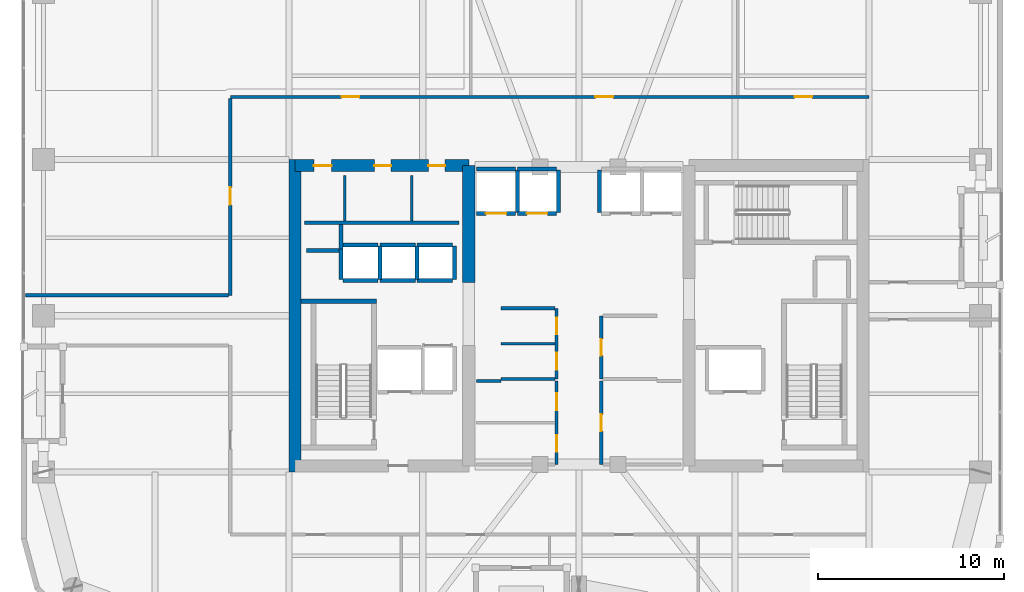
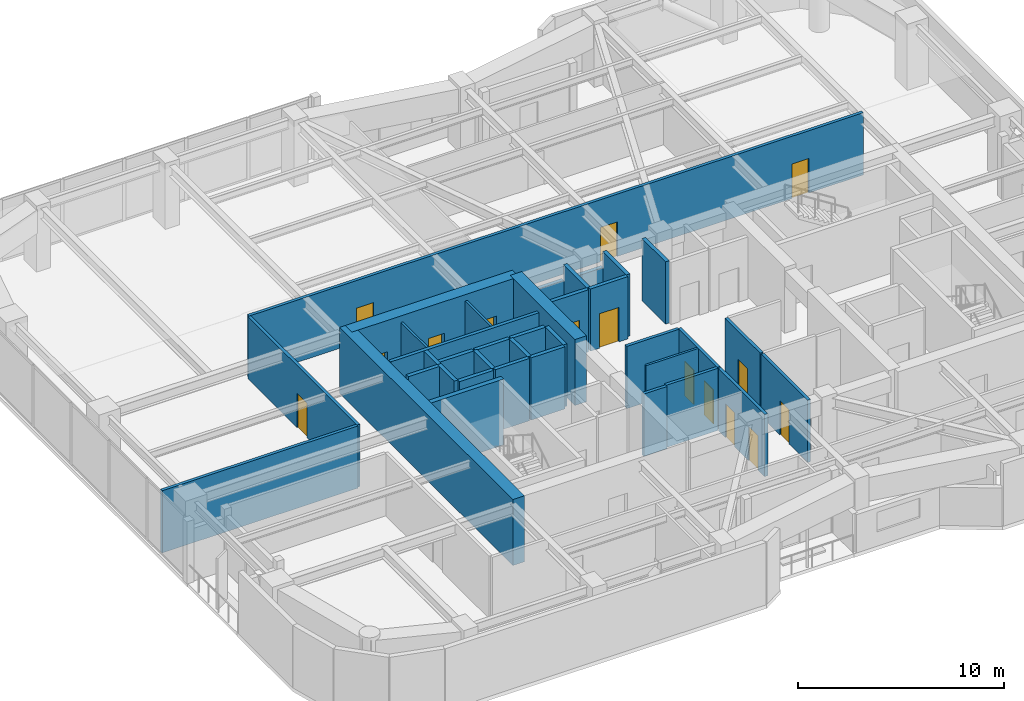
# One storey, part 25 of 30: 37 walls, 15 doors, 15 openings.
"""IFC4 building model written with IfcOpenShell, lengths in metres."""

import ifcopenshell
import ifcopenshell.guid

model = None  # the IFC model being written
_history = None  # IfcOwnerHistory: only IFC2X3 demands one
_inside = {}  # id of a spatial element -> (the spatial element, [elements in it])
_under = {}  # id of a project, library or spatial element -> (it, [spatial elements below it])
_declared = {}  # id of a project -> (the project, [libraries it declares])
_typed = {}  # id of a type object -> (the type object, [elements of that type])
_made_of = {}  # id of a material, layer set ... -> (it, [elements and type objects made of it])


def new_model(schema):
    """Start an empty IFC model of exactly this schema.

    Asked for "IFC4X3", IfcOpenShell would pick the latest addendum, in which some entities
    have other attributes; the version numbers below select the first issue.
    IFC2X3 requires an IfcOwnerHistory on every rooted entity: one is made here for all.
    """
    global model, _history
    if schema == "IFC4X3":
        model = ifcopenshell.file(schema_version=(4, 3, 0, 0))
    else:
        model = ifcopenshell.file(schema=schema)
    _inside.clear()
    _under.clear()
    _declared.clear()
    _typed.clear()
    _made_of.clear()
    _history = None
    if model.schema == "IFC2X3":
        org = make("IfcOrganization", Name="unknown")
        user = make(
            "IfcPersonAndOrganization",
            ThePerson=make("IfcPerson", FamilyName="unknown"),
            TheOrganization=org,
        )
        app = make(
            "IfcApplication",
            ApplicationDeveloper=org,
            Version="unknown",
            ApplicationFullName="unknown",
            ApplicationIdentifier="unknown",
        )
        _history = make(
            "IfcOwnerHistory",
            OwningUser=user,
            OwningApplication=app,
            ChangeAction="ADDED",
            CreationDate=0,
        )
    return model


def make(cls, **values):
    """One entity of the class cls with the attributes given. An attribute that is None is left unset."""
    return model.create_entity(
        cls, **{name: value for name, value in values.items() if value is not None}
    )


def rooted(cls, **values):
    """An entity with a GlobalId (a new one), such as an element, a storey or a relation."""
    return make(cls, GlobalId=ifcopenshell.guid.new(), OwnerHistory=_history, **values)


def si_unit(unit_type, name, prefix=None):
    """IfcSIUnit, for example si_unit("LENGTHUNIT", "METRE", prefix="MILLI")."""
    return make("IfcSIUnit", UnitType=unit_type, Prefix=prefix, Name=name)


def assignment(units):
    """IfcUnitAssignment: the units of a project."""
    return None if units is None else make("IfcUnitAssignment", Units=units)


def point(xyz):
    """IfcCartesianPoint."""
    return None if xyz is None else make("IfcCartesianPoint", Coordinates=xyz)


def direction(xyz):
    """IfcDirection."""
    return None if xyz is None else make("IfcDirection", DirectionRatios=xyz)


def frame(location, z_axis=None, x_axis=None):
    """IfcAxis2Placement3D, a coordinate frame: its origin and axes. An axis left out is left unset."""
    return make(
        "IfcAxis2Placement3D",
        Location=point(location),
        Axis=direction(z_axis),
        RefDirection=direction(x_axis),
    )


def frame_2d(location, x_axis=None):
    """IfcAxis2Placement2D, a coordinate frame in the plane: its origin and x axis."""
    return make(
        "IfcAxis2Placement2D", Location=point(location), RefDirection=direction(x_axis)
    )


def origin():
    """The frame at (0, 0, 0) with its axes left unset."""
    return frame((0.0, 0.0, 0.0))


def place(relative_to, where):
    """IfcLocalPlacement: puts the frame where relative to a parent placement (None: the world)."""
    return make(
        "IfcLocalPlacement", PlacementRelTo=relative_to, RelativePlacement=where
    )


def context(
    kind, dimensions, precision=None, world=None, true_north=None, identifier=None
):
    """IfcGeometricRepresentationContext, for example the 3D "Model" context."""
    return make(
        "IfcGeometricRepresentationContext",
        ContextIdentifier=identifier,
        ContextType=kind,
        CoordinateSpaceDimension=dimensions,
        Precision=precision,
        WorldCoordinateSystem=world,
        TrueNorth=true_north,
    )


def subcontext(parent, identifier, kind, view, scale=None):
    """IfcGeometricRepresentationSubContext, for example "Body" below "Model"."""
    return make(
        "IfcGeometricRepresentationSubContext",
        ContextIdentifier=identifier,
        ContextType=kind,
        ParentContext=parent,
        TargetScale=scale,
        TargetView=view,
    )


def project(units=None, contexts=None):
    """IfcProject with its units and contexts."""
    return rooted(
        "IfcProject",
        Name="project",
        RepresentationContexts=contexts,
        UnitsInContext=assignment(units),
    )


def spatial(cls, under=None, at=None, **own):
    """A site, building, storey or space (cls), placed at a placement, below another one or the project."""
    s = rooted(cls, ObjectPlacement=at, **own)
    if under is not None:
        _under.setdefault(under.id(), (under, []))[1].append(s)
    return s


def profile(cls, at=None, kind="AREA", **sizes):
    """A parametric profile (cls). Its sizes go by their IFC names, for example OverallWidth=200.0."""
    return make(cls, ProfileType=kind, Position=at, **sizes)


def rectangle(**sizes):
    """IfcRectangleProfileDef."""
    return profile("IfcRectangleProfileDef", **sizes)


def extrude(swept, where, along, depth):
    """IfcExtrudedAreaSolid: the profile swept, set in the frame where, extruded along a direction by depth."""
    return make(
        "IfcExtrudedAreaSolid",
        SweptArea=swept,
        Position=where,
        ExtrudedDirection=direction(along),
        Depth=depth,
    )


def shape(context_of_items, identifier, shape_type, items):
    """IfcShapeRepresentation: the items that make up one representation, for example the "Body"."""
    return make(
        "IfcShapeRepresentation",
        ContextOfItems=context_of_items,
        RepresentationIdentifier=identifier,
        RepresentationType=shape_type,
        Items=items,
    )


def material(Name=None, Category=None):
    """IfcMaterial."""
    return make("IfcMaterial", Name=Name, Category=Category)


def layer(
    of_material, thickness, ventilated=None, Name=None, Category=None, Priority=None
):
    """IfcMaterialLayer: one layer of a wall or slab, of a material (None: an air gap)."""
    return make(
        "IfcMaterialLayer",
        Material=of_material,
        LayerThickness=thickness,
        IsVentilated=ventilated,
        Name=Name,
        Category=Category,
        Priority=Priority,
    )


def layer_set(layers, Name=None):
    """IfcMaterialLayerSet."""
    return make("IfcMaterialLayerSet", MaterialLayers=layers, LayerSetName=Name)


def made_of(thing, what):
    """Note that an element or type object is made of a material, layer set ...; save() writes the relation."""
    if what is not None:
        _made_of.setdefault(what.id(), (what, []))[1].append(thing)
    return thing


def type_object(cls, material=None, **own):
    """A type object (cls), such as IfcWallType, which elements share."""
    return made_of(rooted(cls, **own), material)


def element(
    cls,
    number,
    at=None,
    inside=None,
    cuts=None,
    type_object=None,
    material=None,
    context=None,
    identifier="Body",
    shape_type=None,
    held_by="IfcProductDefinitionShape",
    body=None,
    shapes=None,
    **own,
):
    """One element of the class cls, such as IfcWall. Its Tag is "e" and its number.

    at: its placement. inside: the storey or other place that contains it. cuts: it is an
    opening in that element (IfcRelVoidsElement). A single representation is given by context,
    identifier, shape_type and body (its items); several are given by shapes. held_by: the class
    of the entity that holds the representations. save() writes the other relations.
    """
    e = rooted(cls, Tag="e%d" % number, ObjectPlacement=at, **own)
    if body is not None:
        shapes = [shape(context, identifier, shape_type, body)]
    if shapes is not None:
        e.Representation = make(held_by, Representations=shapes)
    if inside is not None:
        _inside.setdefault(inside.id(), (inside, []))[1].append(e)
    if cuts is not None:
        rooted(
            "IfcRelVoidsElement", RelatingBuildingElement=cuts, RelatedOpeningElement=e
        )
    if type_object is not None:
        _typed.setdefault(type_object.id(), (type_object, []))[1].append(e)
    return made_of(e, material)


def fill(opening, filler):
    """IfcRelFillsElement: the door or window that sits in an opening."""
    return rooted(
        "IfcRelFillsElement",
        RelatingOpeningElement=opening,
        RelatedBuildingElement=filler,
    )


def aggregate(whole, parts):
    """IfcRelAggregates: a whole, such as a stair, and the parts it consists of."""
    return rooted("IfcRelAggregates", RelatingObject=whole, RelatedObjects=parts)


def save(model, path):
    """Write the relations noted so far, then the file.

    IfcRelAggregates (storeys below a building ...), IfcRelContainedInSpatialStructure (elements
    in a storey), IfcRelDefinesByType, IfcRelAssociatesMaterial and IfcRelDeclares: one each for
    every whole, place, type object, material and project.
    """
    for whole, parts in _under.values():
        aggregate(whole, parts)
    for where, things in _inside.values():
        rooted(
            "IfcRelContainedInSpatialStructure",
            RelatedElements=things,
            RelatingStructure=where,
        )
    for kind, things in _typed.values():
        rooted("IfcRelDefinesByType", RelatedObjects=things, RelatingType=kind)
    for what, things in _made_of.values():
        rooted("IfcRelAssociatesMaterial", RelatedObjects=things, RelatingMaterial=what)
    for by, libraries in _declared.values():
        rooted("IfcRelDeclares", RelatingContext=by, RelatedDefinitions=libraries)
    model.write(path)


model = new_model("IFC4")

# Units and contexts
model_context = context("Model", 3, precision=1e-05, world=origin(), true_north=direction((0.0, 1.0)))
body_context = subcontext(model_context, "Body", "Model", "MODEL_VIEW")
ifc_project = project(units=[si_unit("LENGTHUNIT", "METRE"), si_unit("AREAUNIT", "SQUARE_METRE"), si_unit("VOLUMEUNIT", "CUBIC_METRE"), si_unit("PLANEANGLEUNIT", "RADIAN"), si_unit("MASSUNIT", "GRAM", prefix="KILO")], contexts=[model_context])

# Site, building, storey
site_placement = place(None, origin())
site = spatial("IfcSite", under=ifc_project, at=site_placement, CompositionType="ELEMENT")
building_placement = place(site_placement, origin())
building = spatial("IfcBuilding", under=site, at=building_placement, Name="Kiyonajd Concourse Tower", CompositionType="ELEMENT")
storey_placement = place(building_placement, frame((0.0, 0.0, 194.10009765625)))
storey = spatial("IfcBuildingStorey", under=building, at=storey_placement, Name="L49", CompositionType="ELEMENT", Elevation=194.10009765625)

# Walls
ifc_material_1 = material(Name="Concrete C60/75", Category="concrete")
ifc_layer_1 = layer(ifc_material_1, 0.64990234375)
ifc_layer_set_1 = layer_set([ifc_layer_1], Name="Concrete C60/75")
wall_type_1 = type_object("IfcWallType", Name="WL-CORE-650", PredefinedType="SHEAR", material=ifc_layer_set_1)
wall_1_placement = place(storey_placement, frame((32.72509765625, 27.60009765625, 0.0), z_axis=(0.0, 0.0, 1.0), x_axis=(0.0, 1.0, 0.0)))
element("IfcWall", 1, at=wall_1_placement, inside=storey, type_object=wall_type_1, Name="L49 West Core Outer Shear Wall", PredefinedType="SHEAR", context=body_context, shape_type="SweptSolid", body=[
    extrude(rectangle(XDim=16.7998046875, YDim=0.64990234375, at=frame_2d((8.39990234375, 0.0))), origin(), (0.0, 0.0, 1.0), 3.89990234375),
])
wall_2_placement = place(storey_placement, frame((42.074951171875, 37.800048828125, 0.0), z_axis=(0.0, 0.0, 1.0), x_axis=(0.0, 1.0, 0.0)))
element("IfcWall", 2, at=wall_2_placement, inside=storey, type_object=wall_type_1, Name="L49 West Core Inner North Shear Wall", PredefinedType="SHEAR", context=body_context, shape_type="SweptSolid", body=[
    extrude(rectangle(XDim=6.27490234375, YDim=0.64990234375, at=frame_2d((3.137451171875, 0.0))), origin(), (0.0, 0.0, 1.0), 3.89990234375),
])

# Wall, openings, doors
wall_3_placement = place(storey_placement, frame((32.72509765625, 44.074951171875, 0.0), z_axis=(0.0, 0.0, 1.0), x_axis=(1.0, 0.0, 0.0)))
wall_3 = element("IfcWall", 3, at=wall_3_placement, inside=storey, type_object=wall_type_1, Name="L49 West Core North Shear Wall", PredefinedType="SHEAR", context=body_context, shape_type="SweptSolid", body=[
    extrude(rectangle(XDim=9.349853515625, YDim=0.64990234375, at=frame_2d((4.6748046875, 0.0))), origin(), (0.0, 0.0, 1.0), 3.89990234375),
])
opening_1_placement = place(wall_3_placement, frame((1.02490234375, 0.0, 0.0)))
opening_1 = element("IfcOpeningElement", 4, at=opening_1_placement, cuts=wall_3, Name="Opening DI1", PredefinedType="OPENING", context=body_context, shape_type="SweptSolid", body=[
    extrude(rectangle(XDim=0.949951171875, YDim=2.0400390625, at=frame_2d((0.47509765625, 1.02001953125))), frame((0.0, 0.3349609375, 0.0), z_axis=(0.0, -1.0, 0.0), x_axis=(1.0, 0.0, 0.0)), (0.0, 0.0, 1.0), 0.669921875),
])
opening_2_placement = place(wall_3_placement, frame((4.27490234375, 0.0, 0.0)))
opening_2 = element("IfcOpeningElement", 5, at=opening_2_placement, cuts=wall_3, Name="Opening DI2", PredefinedType="OPENING", context=body_context, shape_type="SweptSolid", body=[
    extrude(rectangle(XDim=0.89990234375, YDim=2.02001953125, at=frame_2d((0.449951171875, 1.010009765625))), frame((0.0, 0.3349609375, 0.0), z_axis=(0.0, -1.0, 0.0), x_axis=(1.0, 0.0, 0.0)), (0.0, 0.0, 1.0), 0.669921875),
])
opening_3_placement = place(wall_3_placement, frame((7.175048828125, 0.0, 0.0)))
opening_3 = element("IfcOpeningElement", 6, at=opening_3_placement, cuts=wall_3, Name="Opening DI2", PredefinedType="OPENING", context=body_context, shape_type="SweptSolid", body=[
    extrude(rectangle(XDim=0.89990234375, YDim=2.02001953125, at=frame_2d((0.449951171875, 1.010009765625))), frame((0.0, 0.3349609375, 0.0), z_axis=(0.0, -1.0, 0.0), x_axis=(1.0, 0.0, 0.0)), (0.0, 0.0, 1.0), 0.669921875),
])
ifc_material_2 = material(Name="Natural Oak Acoustic Timber Veneer", Category="wood")
door_type_1 = type_object("IfcDoorType", Name="DR-INT-900", OperationType="NOTDEFINED", PredefinedType="DOOR", material=ifc_material_2)
door_1_placement = place(opening_2_placement, origin())
door_1 = element("IfcDoor", 7, at=door_1_placement, inside=storey, type_object=door_type_1, Name="L49 Male Restroom Door", OperationType="SINGLE_SWING_RIGHT", OverallHeight=2.02001953125, OverallWidth=0.89990234375, PredefinedType="DOOR", context=body_context, shape_type="SweptSolid", body=[
    extrude(rectangle(XDim=0.89990234375, YDim=2.02001953125, at=frame_2d((0.449951171875, 1.010009765625))), frame((0.0, 0.02490234375, 0.0), z_axis=(0.0, -1.0, 0.0), x_axis=(1.0, 0.0, 0.0)), (0.0, 0.0, 1.0), 0.050048828125),
])
fill(opening_2, door_1)
door_2_placement = place(opening_3_placement, origin())
door_2 = element("IfcDoor", 8, at=door_2_placement, inside=storey, type_object=door_type_1, Name="L49 Female Restroom Door", OperationType="SINGLE_SWING_LEFT", OverallHeight=2.02001953125, OverallWidth=0.89990234375, PredefinedType="DOOR", context=body_context, shape_type="SweptSolid", body=[
    extrude(rectangle(XDim=0.89990234375, YDim=2.02001953125, at=frame_2d((0.449951171875, 1.010009765625))), frame((0.0, 0.02490234375, 0.0), z_axis=(0.0, -1.0, 0.0), x_axis=(1.0, 0.0, 0.0)), (0.0, 0.0, 1.0), 0.050048828125),
])
fill(opening_3, door_2)
door_type_2 = type_object("IfcDoorType", Name="DR-INT-950", OperationType="NOTDEFINED", PredefinedType="DOOR", material=ifc_material_2)
door_3_placement = place(opening_1_placement, origin())
door_3 = element("IfcDoor", 9, at=door_3_placement, inside=storey, type_object=door_type_2, Name="L49 Single User Accessible WC Door", OperationType="SINGLE_SWING_LEFT", OverallHeight=2.0400390625, OverallWidth=0.949951171875, PredefinedType="DOOR", context=body_context, shape_type="SweptSolid", body=[
    extrude(rectangle(XDim=0.949951171875, YDim=2.0400390625, at=frame_2d((0.47509765625, 1.02001953125))), frame((0.0, 0.02490234375, 0.0), z_axis=(0.0, -1.0, 0.0), x_axis=(1.0, 0.0, 0.0)), (0.0, 0.0, 1.0), 0.050048828125),
])
fill(opening_1, door_3)

# Walls
ifc_material_3 = material(Name="Gypsum Board on Cold-Formed Steel Stud", Category="steel")
ifc_layer_2 = layer(ifc_material_3, 0.125)
ifc_layer_set_2 = layer_set([ifc_layer_2], Name="Gypsum Board on Cold-Formed Steel Stud")
wall_type_2 = type_object("IfcWallType", Name="WL-PART-125", PredefinedType="PARTITIONING", material=ifc_layer_set_2)
for number, where, z_axis, x_axis, name in (
    (10, (35.39990234375, 41.094970703125, 0.0), (0.0, 0.0, 1.0), (0.0, 1.0, 0.0), "L49 Interior Partition Wall"),
    (11, (39.0, 41.094970703125, 0.0), (0.0, 0.0, 1.0), (0.0, 1.0, 0.0), "L49 Interior Partition Wall"),
):
    element("IfcWall", number, at=place(storey_placement, frame(where, z_axis=z_axis, x_axis=x_axis)), inside=storey, type_object=wall_type_2, Name=name, PredefinedType="PARTITIONING", context=body_context, shape_type="SweptSolid", body=[
        extrude(rectangle(XDim=2.455078125, YDim=0.125, at=frame_2d((1.2275390625, 0.0))), origin(), (0.0, 0.0, 1.0), 3.679931640625),
    ])
wall_4_placement = place(storey_placement, frame((43.800048828125, 34.5, 0.0), z_axis=(0.0, 0.0, 1.0), x_axis=(1.0, 0.0, 0.0)))
element("IfcWall", 12, at=wall_4_placement, inside=storey, type_object=wall_type_2, Name="L49 Interior Partition Wall", PredefinedType="PARTITIONING", context=body_context, shape_type="SweptSolid", body=[
    extrude(rectangle(XDim=2.912841796875, YDim=0.125, at=frame_2d((1.45654296875, 0.0))), origin(), (0.0, 0.0, 1.0), 3.679931640625),
])
ifc_layer_3 = layer(ifc_material_3, 0.18994140625)
ifc_layer_set_3 = layer_set([ifc_layer_3], Name="Gypsum Board on Cold-Formed Steel Stud")
wall_type_3 = type_object("IfcWallType", Name="WL-PLMB-190", PredefinedType="PLUMBINGWALL", material=ifc_layer_set_3)
wall_5_placement = place(storey_placement, frame((33.25, 41.0, 0.0), z_axis=(0.0, 0.0, 1.0), x_axis=(1.0, 0.0, 0.0)))
element("IfcWall", 13, at=wall_5_placement, inside=storey, type_object=wall_type_3, Name="L49 Interior Partition Wall", PredefinedType="PLUMBINGWALL", context=body_context, shape_type="SweptSolid", body=[
    extrude(rectangle(XDim=8.300048828125, YDim=0.18994140625, at=frame_2d((4.14990234375, 0.0))), origin(), (0.0, 0.0, 1.0), 3.679931640625),
])
ifc_layer_4 = layer(ifc_material_3, 0.2099609375)
ifc_layer_set_4 = layer_set([ifc_layer_4], Name="Gypsum Board on Cold-Formed Steel Stud")
wall_type_4 = type_object("IfcWallType", Name="WL-SHAFT-210", PredefinedType="PARTITIONING", material=ifc_layer_set_4)
wall_6_placement = place(storey_placement, frame((33.360107421875, 39.5, 0.0), z_axis=(0.0, 0.0, 1.0), x_axis=(1.0, 0.0, 0.0)))
element("IfcWall", 14, at=wall_6_placement, inside=storey, type_object=wall_type_4, Name="L49 Shaft Enclosure Wall", PredefinedType="PARTITIONING", context=body_context, shape_type="SweptSolid", body=[
    extrude(rectangle(XDim=1.85986328125, YDim=0.2099609375, at=frame_2d((0.929931640625, 0.0))), origin(), (0.0, 0.0, 1.0), 3.679931640625),
])
wall_7_placement = place(storey_placement, frame((35.199951171875, 39.580078125, 0.0), z_axis=(0.0, 0.0, 1.0), x_axis=(0.0, 1.0, 0.0)))
element("IfcWall", 15, at=wall_7_placement, inside=storey, type_object=wall_type_4, Name="L49 Shaft Enclosure Wall", PredefinedType="PARTITIONING", context=body_context, shape_type="SweptSolid", body=[
    extrude(rectangle(XDim=1.31982421875, YDim=0.2099609375, at=frame_2d((0.659912109375, 0.0))), origin(), (0.0, 0.0, 1.0), 3.679931640625),
])

# Wall, opening, door
wall_8_placement = place(storey_placement, frame((42.5, 41.5, 0.0), z_axis=(0.0, 0.0, 1.0), x_axis=(1.0, 0.0, 0.0)))
wall_8 = element("IfcWall", 16, at=wall_8_placement, inside=storey, type_object=wall_type_4, Name="L49 Shaft Enclosure Wall", PredefinedType="PARTITIONING", context=body_context, shape_type="SweptSolid", body=[
    extrude(rectangle(XDim=2.10009765625, YDim=0.2099609375, at=frame_2d((1.050048828125, 0.0))), origin(), (0.0, 0.0, 1.0), 3.679931640625),
])
opening_4_placement = place(wall_8_placement, frame((0.5, 0.0, 0.0)))
opening_4 = element("IfcOpeningElement", 17, at=opening_4_placement, cuts=wall_8, Name="Opening LD1", PredefinedType="OPENING", context=body_context, shape_type="SweptSolid", body=[
    extrude(rectangle(XDim=1.10009765625, YDim=2.0400390625, at=frame_2d((0.550048828125, 1.02001953125))), frame((0.0, 0.114990234375, 0.0), z_axis=(0.0, -1.0, 0.0), x_axis=(1.0, 0.0, 0.0)), (0.0, 0.0, 1.0), 0.22998046875),
])
ifc_material_4 = material(Name="Brushed Stainless Steel Cab Assembly", Category="steel")
door_type_3 = type_object("IfcDoorType", Name="DR-LD-1100", OperationType="DOUBLE_DOOR_SLIDING", PredefinedType="DOOR", material=ifc_material_4)
door_4_placement = place(opening_4_placement, origin())
door_4 = element("IfcDoor", 18, at=door_4_placement, inside=storey, type_object=door_type_3, Name="L49 Lift PL-M1 Sliding Landing Door", OperationType="DOUBLE_DOOR_SLIDING", OverallHeight=2.0400390625, OverallWidth=1.10009765625, PredefinedType="DOOR", context=body_context, shape_type="SweptSolid", body=[
    extrude(rectangle(XDim=1.10009765625, YDim=2.0400390625, at=frame_2d((0.550048828125, 1.02001953125))), frame((0.0, 0.02490234375, 0.0), z_axis=(0.0, -1.0, 0.0), x_axis=(1.0, 0.0, 0.0)), (0.0, 0.0, 1.0), 0.050048828125),
])
fill(opening_4, door_4)

# Walls
wall_9_placement = place(storey_placement, frame((42.5, 43.89990234375, 0.0), z_axis=(0.0, 0.0, 1.0), x_axis=(1.0, 0.0, 0.0)))
element("IfcWall", 19, at=wall_9_placement, inside=storey, type_object=wall_type_4, Name="L49 Shaft Enclosure Wall", PredefinedType="PARTITIONING", context=body_context, shape_type="SweptSolid", body=[
    extrude(rectangle(XDim=2.10009765625, YDim=0.2099609375, at=frame_2d((1.050048828125, 0.0))), origin(), (0.0, 0.0, 1.0), 2.764892578125),
])
wall_10_placement = place(storey_placement, frame((44.699951171875, 41.56005859375, 0.0), z_axis=(0.0, 0.0, 1.0), x_axis=(0.0, 1.0, 0.0)))
element("IfcWall", 20, at=wall_10_placement, inside=storey, type_object=wall_type_4, Name="L49 Shaft Enclosure Wall", PredefinedType="PARTITIONING", context=body_context, shape_type="SweptSolid", body=[
    extrude(rectangle(XDim=2.280029296875, YDim=0.2099609375, at=frame_2d((1.14013671875, 0.0))), origin(), (0.0, 0.0, 1.0), 3.679931640625),
])

# Wall, opening, door
wall_11_placement = place(storey_placement, frame((44.699951171875, 41.5, 0.0), z_axis=(0.0, 0.0, 1.0), x_axis=(1.0, 0.0, 0.0)))
wall_11 = element("IfcWall", 21, at=wall_11_placement, inside=storey, type_object=wall_type_4, Name="L49 Shaft Enclosure Wall", PredefinedType="PARTITIONING", context=body_context, shape_type="SweptSolid", body=[
    extrude(rectangle(XDim=2.10009765625, YDim=0.2099609375, at=frame_2d((1.050048828125, 0.0))), origin(), (0.0, 0.0, 1.0), 3.679931640625),
])
opening_5_placement = place(wall_11_placement, frame((0.5, 0.0, 0.0)))
opening_5 = element("IfcOpeningElement", 22, at=opening_5_placement, cuts=wall_11, Name="Opening LD1", PredefinedType="OPENING", context=body_context, shape_type="SweptSolid", body=[
    extrude(rectangle(XDim=1.10009765625, YDim=2.0400390625, at=frame_2d((0.550048828125, 1.02001953125))), frame((0.0, 0.114990234375, 0.0), z_axis=(0.0, -1.0, 0.0), x_axis=(1.0, 0.0, 0.0)), (0.0, 0.0, 1.0), 0.22998046875),
])
door_5_placement = place(opening_5_placement, origin())
door_5 = element("IfcDoor", 23, at=door_5_placement, inside=storey, type_object=door_type_3, Name="L49 Lift PL-M2 Sliding Landing Door", OperationType="DOUBLE_DOOR_SLIDING", OverallHeight=2.0400390625, OverallWidth=1.10009765625, PredefinedType="DOOR", context=body_context, shape_type="SweptSolid", body=[
    extrude(rectangle(XDim=1.10009765625, YDim=2.0400390625, at=frame_2d((0.550048828125, 1.02001953125))), frame((0.0, 0.02490234375, 0.0), z_axis=(0.0, -1.0, 0.0), x_axis=(1.0, 0.0, 0.0)), (0.0, 0.0, 1.0), 0.050048828125),
])
fill(opening_5, door_5)

# Walls
wall_12_placement = place(storey_placement, frame((44.699951171875, 43.89990234375, 0.0), z_axis=(0.0, 0.0, 1.0), x_axis=(1.0, 0.0, 0.0)))
element("IfcWall", 24, at=wall_12_placement, inside=storey, type_object=wall_type_4, Name="L49 Shaft Enclosure Wall", PredefinedType="PARTITIONING", context=body_context, shape_type="SweptSolid", body=[
    extrude(rectangle(XDim=2.10009765625, YDim=0.2099609375, at=frame_2d((1.050048828125, 0.0))), origin(), (0.0, 0.0, 1.0), 2.764892578125),
])
for number, where, z_axis, x_axis, name in (
    (25, (46.89990234375, 41.56005859375, 0.0), (0.0, 0.0, 1.0), (0.0, 1.0, 0.0), "L49 Shaft Enclosure Wall"),
    (26, (49.10009765625, 41.56005859375, 0.0), (0.0, 0.0, 1.0), (0.0, 1.0, 0.0), "L49 Shaft Enclosure Wall"),
):
    element("IfcWall", number, at=place(storey_placement, frame(where, z_axis=z_axis, x_axis=x_axis)), inside=storey, type_object=wall_type_4, Name=name, PredefinedType="PARTITIONING", context=body_context, shape_type="SweptSolid", body=[
        extrude(rectangle(XDim=2.280029296875, YDim=0.2099609375, at=frame_2d((1.14013671875, 0.0))), origin(), (0.0, 0.0, 1.0), 3.679931640625),
    ])
for number, where, z_axis, x_axis, name in (
    (27, (35.300048828125, 37.89990234375, 0.0), (0.0, 0.0, 1.0), (1.0, 0.0, 0.0), "L49 Shaft Enclosure Wall"),
    (28, (35.300048828125, 39.800048828125, 0.0), (0.0, 0.0, 1.0), (1.0, 0.0, 0.0), "L49 Shaft Enclosure Wall"),
):
    element("IfcWall", number, at=place(storey_placement, frame(where, z_axis=z_axis, x_axis=x_axis)), inside=storey, type_object=wall_type_4, Name=name, PredefinedType="PARTITIONING", context=body_context, shape_type="SweptSolid", body=[
        extrude(rectangle(XDim=1.89990234375, YDim=0.2099609375, at=frame_2d((0.949951171875, 0.0))), origin(), (0.0, 0.0, 1.0), 3.679931640625),
    ])
wall_13_placement = place(storey_placement, frame((35.199951171875, 37.9599609375, 0.0), z_axis=(0.0, 0.0, 1.0), x_axis=(0.0, 1.0, 0.0)))
element("IfcWall", 29, at=wall_13_placement, inside=storey, type_object=wall_type_4, Name="L49 Shaft Enclosure Wall", PredefinedType="PARTITIONING", context=body_context, shape_type="SweptSolid", body=[
    extrude(rectangle(XDim=1.6201171875, YDim=0.2099609375, at=frame_2d((0.81005859375, 0.0))), origin(), (0.0, 0.0, 1.0), 3.679931640625),
])
wall_14_placement = place(storey_placement, frame((37.300048828125, 37.9599609375, 0.0), z_axis=(0.0, 0.0, 1.0), x_axis=(0.0, 1.0, 0.0)))
element("IfcWall", 30, at=wall_14_placement, inside=storey, type_object=wall_type_4, Name="L49 Shaft Enclosure Wall", PredefinedType="PARTITIONING", context=body_context, shape_type="SweptSolid", body=[
    extrude(rectangle(XDim=1.780029296875, YDim=0.2099609375, at=frame_2d((0.89013671875, 0.0))), origin(), (0.0, 0.0, 1.0), 3.679931640625),
])
for number, where, z_axis, x_axis, name in (
    (31, (37.300048828125, 37.89990234375, 0.0), (0.0, 0.0, 1.0), (1.0, 0.0, 0.0), "L49 Shaft Enclosure Wall"),
    (32, (37.300048828125, 39.800048828125, 0.0), (0.0, 0.0, 1.0), (1.0, 0.0, 0.0), "L49 Shaft Enclosure Wall"),
):
    element("IfcWall", number, at=place(storey_placement, frame(where, z_axis=z_axis, x_axis=x_axis)), inside=storey, type_object=wall_type_4, Name=name, PredefinedType="PARTITIONING", context=body_context, shape_type="SweptSolid", body=[
        extrude(rectangle(XDim=1.89990234375, YDim=0.2099609375, at=frame_2d((0.949951171875, 0.0))), origin(), (0.0, 0.0, 1.0), 3.679931640625),
    ])
wall_15_placement = place(storey_placement, frame((39.300048828125, 37.9599609375, 0.0), z_axis=(0.0, 0.0, 1.0), x_axis=(0.0, 1.0, 0.0)))
element("IfcWall", 33, at=wall_15_placement, inside=storey, type_object=wall_type_4, Name="L49 Shaft Enclosure Wall", PredefinedType="PARTITIONING", context=body_context, shape_type="SweptSolid", body=[
    extrude(rectangle(XDim=1.780029296875, YDim=0.2099609375, at=frame_2d((0.89013671875, 0.0))), origin(), (0.0, 0.0, 1.0), 3.679931640625),
])
for number, where, z_axis, x_axis, name in (
    (34, (39.300048828125, 37.89990234375, 0.0), (0.0, 0.0, 1.0), (1.0, 0.0, 0.0), "L49 Shaft Enclosure Wall"),
    (35, (39.300048828125, 39.800048828125, 0.0), (0.0, 0.0, 1.0), (1.0, 0.0, 0.0), "L49 Shaft Enclosure Wall"),
):
    element("IfcWall", number, at=place(storey_placement, frame(where, z_axis=z_axis, x_axis=x_axis)), inside=storey, type_object=wall_type_4, Name=name, PredefinedType="PARTITIONING", context=body_context, shape_type="SweptSolid", body=[
        extrude(rectangle(XDim=1.89990234375, YDim=0.2099609375, at=frame_2d((0.949951171875, 0.0))), origin(), (0.0, 0.0, 1.0), 3.679931640625),
    ])
wall_16_placement = place(storey_placement, frame((41.300048828125, 37.9599609375, 0.0), z_axis=(0.0, 0.0, 1.0), x_axis=(0.0, 1.0, 0.0)))
element("IfcWall", 36, at=wall_16_placement, inside=storey, type_object=wall_type_4, Name="L49 Shaft Enclosure Wall", PredefinedType="PARTITIONING", context=body_context, shape_type="SweptSolid", body=[
    extrude(rectangle(XDim=1.780029296875, YDim=0.2099609375, at=frame_2d((0.89013671875, 0.0))), origin(), (0.0, 0.0, 1.0), 3.679931640625),
])

# Wall, openings, doors
ifc_layer_5 = layer(ifc_material_3, 0.169921875)
ifc_layer_set_5 = layer_set([ifc_layer_5], Name="Gypsum Board on Cold-Formed Steel Stud")
wall_type_5 = type_object("IfcWallType", Name="WL-SMK-170", PredefinedType="PARTITIONING", material=ifc_layer_set_5)
wall_17_placement = place(storey_placement, frame((46.800048828125, 32.60009765625, 0.0), z_axis=(0.0, 0.0, 1.0), x_axis=(0.0, 1.0, 0.0)))
wall_17 = element("IfcWall", 37, at=wall_17_placement, inside=storey, type_object=wall_type_5, Name="L49 Interior Partition Wall", PredefinedType="PARTITIONING", context=body_context, shape_type="SweptSolid", body=[
    extrude(rectangle(XDim=3.7998046875, YDim=0.169921875, at=frame_2d((1.89990234375, 0.0))), origin(), (0.0, 0.0, 1.0), 3.679931640625),
])
opening_6_placement = place(wall_17_placement, frame((0.5, 0.0, 0.0)))
opening_6 = element("IfcOpeningElement", 38, at=opening_6_placement, cuts=wall_17, Name="Opening DI2", PredefinedType="OPENING", context=body_context, shape_type="SweptSolid", body=[
    extrude(rectangle(XDim=0.89990234375, YDim=2.02001953125, at=frame_2d((0.449951171875, 1.010009765625))), frame((0.0, 0.094970703125, 0.0), z_axis=(0.0, -1.0, 0.0), x_axis=(1.0, 0.0, 0.0)), (0.0, 0.0, 1.0), 0.18994140625),
])
opening_7_placement = place(wall_17_placement, frame((2.39990234375, 0.0, 0.0)))
opening_7 = element("IfcOpeningElement", 39, at=opening_7_placement, cuts=wall_17, Name="Opening DI2", PredefinedType="OPENING", context=body_context, shape_type="SweptSolid", body=[
    extrude(rectangle(XDim=0.89990234375, YDim=2.02001953125, at=frame_2d((0.449951171875, 1.010009765625))), frame((0.0, 0.094970703125, 0.0), z_axis=(0.0, -1.0, 0.0), x_axis=(1.0, 0.0, 0.0)), (0.0, 0.0, 1.0), 0.18994140625),
])
door_6_placement = place(opening_6_placement, origin())
door_6 = element("IfcDoor", 40, at=door_6_placement, inside=storey, type_object=door_type_1, Name="L49 Interior Door", OperationType="SINGLE_SWING_RIGHT", OverallHeight=2.02001953125, OverallWidth=0.89990234375, PredefinedType="DOOR", context=body_context, shape_type="SweptSolid", body=[
    extrude(rectangle(XDim=0.89990234375, YDim=2.02001953125, at=frame_2d((0.449951171875, 1.010009765625))), frame((0.0, 0.02490234375, 0.0), z_axis=(0.0, -1.0, 0.0), x_axis=(1.0, 0.0, 0.0)), (0.0, 0.0, 1.0), 0.050048828125),
])
fill(opening_6, door_6)
door_7_placement = place(opening_7_placement, origin())
door_7 = element("IfcDoor", 41, at=door_7_placement, inside=storey, type_object=door_type_1, Name="L49 Interior Door", OperationType="SINGLE_SWING_LEFT", OverallHeight=2.02001953125, OverallWidth=0.89990234375, PredefinedType="DOOR", context=body_context, shape_type="SweptSolid", body=[
    extrude(rectangle(XDim=0.89990234375, YDim=2.02001953125, at=frame_2d((0.449951171875, 1.010009765625))), frame((0.0, 0.02490234375, 0.0), z_axis=(0.0, -1.0, 0.0), x_axis=(1.0, 0.0, 0.0)), (0.0, 0.0, 1.0), 0.050048828125),
])
fill(opening_7, door_7)

# Walls
for number, where, z_axis, x_axis, name in (
    (42, (43.800048828125, 32.60009765625, 0.0), (0.0, 0.0, 1.0), (1.0, 0.0, 0.0), "L49 Interior Partition Wall"),
    (43, (43.800048828125, 36.39990234375, 0.0), (0.0, 0.0, 1.0), (1.0, 0.0, 0.0), "L49 Interior Partition Wall"),
):
    element("IfcWall", number, at=place(storey_placement, frame(where, z_axis=z_axis, x_axis=x_axis)), inside=storey, type_object=wall_type_5, Name=name, PredefinedType="PARTITIONING", context=body_context, shape_type="SweptSolid", body=[
        extrude(rectangle(XDim=2.912841796875, YDim=0.169921875, at=frame_2d((1.45654296875, 0.0))), origin(), (0.0, 0.0, 1.0), 3.679931640625),
    ])

# Wall, opening, door
wall_18_placement = place(storey_placement, frame((49.199951171875, 32.60009765625, 0.0), z_axis=(0.0, 0.0, 1.0), x_axis=(0.0, 1.0, 0.0)))
wall_18 = element("IfcWall", 44, at=wall_18_placement, inside=storey, type_object=wall_type_5, Name="L49 Interior Partition Wall", PredefinedType="PARTITIONING", context=body_context, shape_type="SweptSolid", body=[
    extrude(rectangle(XDim=3.39990234375, YDim=0.169921875, at=frame_2d((1.699951171875, 0.0))), origin(), (0.0, 0.0, 1.0), 3.679931640625),
])
opening_8_placement = place(wall_18_placement, frame((1.25, 0.0, 0.0)))
opening_8 = element("IfcOpeningElement", 45, at=opening_8_placement, cuts=wall_18, Name="Opening DI2", PredefinedType="OPENING", context=body_context, shape_type="SweptSolid", body=[
    extrude(rectangle(XDim=0.89990234375, YDim=2.02001953125, at=frame_2d((0.449951171875, 1.010009765625))), frame((0.0, 0.094970703125, 0.0), z_axis=(0.0, -1.0, 0.0), x_axis=(1.0, 0.0, 0.0)), (0.0, 0.0, 1.0), 0.18994140625),
])
door_8_placement = place(opening_8_placement, origin())
door_8 = element("IfcDoor", 46, at=door_8_placement, inside=storey, type_object=door_type_1, Name="L49 Interior Door", OperationType="SINGLE_SWING_RIGHT", OverallHeight=2.02001953125, OverallWidth=0.89990234375, PredefinedType="DOOR", context=body_context, shape_type="SweptSolid", body=[
    extrude(rectangle(XDim=0.89990234375, YDim=2.02001953125, at=frame_2d((0.449951171875, 1.010009765625))), frame((0.0, 0.02490234375, 0.0), z_axis=(0.0, -1.0, 0.0), x_axis=(1.0, 0.0, 0.0)), (0.0, 0.0, 1.0), 0.050048828125),
])
fill(opening_8, door_8)

# Wall, openings, doors
wall_19_placement = place(storey_placement, frame((46.800048828125, 28.0, 0.0), z_axis=(0.0, 0.0, 1.0), x_axis=(0.0, 1.0, 0.0)))
wall_19 = element("IfcWall", 47, at=wall_19_placement, inside=storey, type_object=wall_type_5, Name="L49 Interior Partition Wall", PredefinedType="PARTITIONING", context=body_context, shape_type="SweptSolid", body=[
    extrude(rectangle(XDim=4.5, YDim=0.169921875, at=frame_2d((2.25, 0.0))), origin(), (0.0, 0.0, 1.0), 3.679931640625),
])
opening_9_placement = place(wall_19_placement, frame((0.675048828125, 0.0, 0.0)))
opening_9 = element("IfcOpeningElement", 48, at=opening_9_placement, cuts=wall_19, Name="Opening DI2", PredefinedType="OPENING", context=body_context, shape_type="SweptSolid", body=[
    extrude(rectangle(XDim=0.89990234375, YDim=2.02001953125, at=frame_2d((0.449951171875, 1.010009765625))), frame((0.0, 0.094970703125, 0.0), z_axis=(0.0, -1.0, 0.0), x_axis=(1.0, 0.0, 0.0)), (0.0, 0.0, 1.0), 0.18994140625),
])
opening_10_placement = place(wall_19_placement, frame((2.925048828125, 0.0, 0.0)))
opening_10 = element("IfcOpeningElement", 49, at=opening_10_placement, cuts=wall_19, Name="Opening DI2", PredefinedType="OPENING", context=body_context, shape_type="SweptSolid", body=[
    extrude(rectangle(XDim=0.89990234375, YDim=2.02001953125, at=frame_2d((0.449951171875, 1.010009765625))), frame((0.0, 0.094970703125, 0.0), z_axis=(0.0, -1.0, 0.0), x_axis=(1.0, 0.0, 0.0)), (0.0, 0.0, 1.0), 0.18994140625),
])
door_9_placement = place(opening_9_placement, origin())
door_9 = element("IfcDoor", 50, at=door_9_placement, inside=storey, type_object=door_type_1, Name="L49 Interior Door", OperationType="SINGLE_SWING_LEFT", OverallHeight=2.02001953125, OverallWidth=0.89990234375, PredefinedType="DOOR", context=body_context, shape_type="SweptSolid", body=[
    extrude(rectangle(XDim=0.89990234375, YDim=2.02001953125, at=frame_2d((0.449951171875, 1.010009765625))), frame((0.0, 0.02490234375, 0.0), z_axis=(0.0, -1.0, 0.0), x_axis=(1.0, 0.0, 0.0)), (0.0, 0.0, 1.0), 0.050048828125),
])
fill(opening_9, door_9)
door_10_placement = place(opening_10_placement, origin())
door_10 = element("IfcDoor", 51, at=door_10_placement, inside=storey, type_object=door_type_1, Name="L49 Interior Door", OperationType="SINGLE_SWING_RIGHT", OverallHeight=2.02001953125, OverallWidth=0.89990234375, PredefinedType="DOOR", context=body_context, shape_type="SweptSolid", body=[
    extrude(rectangle(XDim=0.89990234375, YDim=2.02001953125, at=frame_2d((0.449951171875, 1.010009765625))), frame((0.0, 0.02490234375, 0.0), z_axis=(0.0, -1.0, 0.0), x_axis=(1.0, 0.0, 0.0)), (0.0, 0.0, 1.0), 0.050048828125),
])
fill(opening_10, door_10)

# Wall
wall_20_placement = place(storey_placement, frame((42.5, 32.5, 0.0), z_axis=(0.0, 0.0, 1.0), x_axis=(1.0, 0.0, 0.0)))
element("IfcWall", 52, at=wall_20_placement, inside=storey, type_object=wall_type_5, Name="L49 Interior Partition Wall", PredefinedType="PARTITIONING", context=body_context, shape_type="SweptSolid", body=[
    extrude(rectangle(XDim=1.300048828125, YDim=0.169921875, at=frame_2d((0.64990234375, 0.0))), origin(), (0.0, 0.0, 1.0), 3.679931640625),
])

# Wall, opening, door
wall_21_placement = place(storey_placement, frame((49.199951171875, 28.0, 0.0), z_axis=(0.0, 0.0, 1.0), x_axis=(0.0, 1.0, 0.0)))
wall_21 = element("IfcWall", 53, at=wall_21_placement, inside=storey, type_object=wall_type_5, Name="L49 Interior Partition Wall", PredefinedType="PARTITIONING", context=body_context, shape_type="SweptSolid", body=[
    extrude(rectangle(XDim=4.5, YDim=0.169921875, at=frame_2d((2.25, 0.0))), origin(), (0.0, 0.0, 1.0), 3.679931640625),
])
opening_11_placement = place(wall_21_placement, frame((1.800048828125, 0.0, 0.0)))
opening_11 = element("IfcOpeningElement", 54, at=opening_11_placement, cuts=wall_21, Name="Opening DI2", PredefinedType="OPENING", context=body_context, shape_type="SweptSolid", body=[
    extrude(rectangle(XDim=0.89990234375, YDim=2.02001953125, at=frame_2d((0.449951171875, 1.010009765625))), frame((0.0, 0.094970703125, 0.0), z_axis=(0.0, -1.0, 0.0), x_axis=(1.0, 0.0, 0.0)), (0.0, 0.0, 1.0), 0.18994140625),
])
door_11_placement = place(opening_11_placement, origin())
door_11 = element("IfcDoor", 55, at=door_11_placement, inside=storey, type_object=door_type_1, Name="L49 Interior Door", OperationType="SINGLE_SWING_LEFT", OverallHeight=2.02001953125, OverallWidth=0.89990234375, PredefinedType="DOOR", context=body_context, shape_type="SweptSolid", body=[
    extrude(rectangle(XDim=0.89990234375, YDim=2.02001953125, at=frame_2d((0.449951171875, 1.010009765625))), frame((0.0, 0.02490234375, 0.0), z_axis=(0.0, -1.0, 0.0), x_axis=(1.0, 0.0, 0.0)), (0.0, 0.0, 1.0), 0.050048828125),
])
fill(opening_11, door_11)

# Wall, openings, doors
wall_22_placement = place(storey_placement, frame((29.25, 47.77001953125, 0.0), z_axis=(0.0, 0.0, 1.0), x_axis=(1.0, 0.0, 0.0)))
wall_22 = element("IfcWall", 56, at=wall_22_placement, inside=storey, type_object=wall_type_5, Name="L49 Interior Partition Wall", PredefinedType="PARTITIONING", context=body_context, shape_type="SweptSolid", body=[
    extrude(rectangle(XDim=34.35009765625, YDim=0.169921875, at=frame_2d((17.175048828125, 0.0))), origin(), (0.0, 0.0, 1.0), 3.679931640625),
])
opening_12_placement = place(wall_22_placement, frame((5.989990234375, 0.0, 0.0)))
opening_12 = element("IfcOpeningElement", 57, at=opening_12_placement, cuts=wall_22, Name="Opening DI1", PredefinedType="OPENING", context=body_context, shape_type="SweptSolid", body=[
    extrude(rectangle(XDim=0.949951171875, YDim=2.0400390625, at=frame_2d((0.47509765625, 1.02001953125))), frame((0.0, 0.094970703125, 0.0), z_axis=(0.0, -1.0, 0.0), x_axis=(1.0, 0.0, 0.0)), (0.0, 0.0, 1.0), 0.18994140625),
])
opening_13_placement = place(wall_22_placement, frame((19.635009765625, 0.0, 0.0)))
opening_13 = element("IfcOpeningElement", 58, at=opening_13_placement, cuts=wall_22, Name="Opening DI1", PredefinedType="OPENING", context=body_context, shape_type="SweptSolid", body=[
    extrude(rectangle(XDim=0.949951171875, YDim=2.0400390625, at=frame_2d((0.47509765625, 1.02001953125))), frame((0.0, 0.094970703125, 0.0), z_axis=(0.0, -1.0, 0.0), x_axis=(1.0, 0.0, 0.0)), (0.0, 0.0, 1.0), 0.18994140625),
])
opening_14_placement = place(wall_22_placement, frame((30.344970703125, 0.0, 0.0)))
opening_14 = element("IfcOpeningElement", 59, at=opening_14_placement, cuts=wall_22, Name="Opening DI1", PredefinedType="OPENING", context=body_context, shape_type="SweptSolid", body=[
    extrude(rectangle(XDim=0.949951171875, YDim=2.0400390625, at=frame_2d((0.47509765625, 1.02001953125))), frame((0.0, 0.094970703125, 0.0), z_axis=(0.0, -1.0, 0.0), x_axis=(1.0, 0.0, 0.0)), (0.0, 0.0, 1.0), 0.18994140625),
])
door_12_placement = place(opening_12_placement, origin())
door_12 = element("IfcDoor", 60, at=door_12_placement, inside=storey, type_object=door_type_2, Name="L49 Interior Door", OperationType="SINGLE_SWING_RIGHT", OverallHeight=2.0400390625, OverallWidth=0.949951171875, PredefinedType="DOOR", context=body_context, shape_type="SweptSolid", body=[
    extrude(rectangle(XDim=0.949951171875, YDim=2.0400390625, at=frame_2d((0.47509765625, 1.02001953125))), frame((0.0, 0.02490234375, 0.0), z_axis=(0.0, -1.0, 0.0), x_axis=(1.0, 0.0, 0.0)), (0.0, 0.0, 1.0), 0.050048828125),
])
fill(opening_12, door_12)
door_13_placement = place(opening_13_placement, origin())
door_13 = element("IfcDoor", 61, at=door_13_placement, inside=storey, type_object=door_type_2, Name="L49 Interior Door", OperationType="SINGLE_SWING_RIGHT", OverallHeight=2.0400390625, OverallWidth=0.949951171875, PredefinedType="DOOR", context=body_context, shape_type="SweptSolid", body=[
    extrude(rectangle(XDim=0.949951171875, YDim=2.0400390625, at=frame_2d((0.47509765625, 1.02001953125))), frame((0.0, 0.02490234375, 0.0), z_axis=(0.0, -1.0, 0.0), x_axis=(1.0, 0.0, 0.0)), (0.0, 0.0, 1.0), 0.050048828125),
])
fill(opening_13, door_13)
door_14_placement = place(opening_14_placement, origin())
door_14 = element("IfcDoor", 62, at=door_14_placement, inside=storey, type_object=door_type_2, Name="L49 Interior Door", OperationType="SINGLE_SWING_LEFT", OverallHeight=2.0400390625, OverallWidth=0.949951171875, PredefinedType="DOOR", context=body_context, shape_type="SweptSolid", body=[
    extrude(rectangle(XDim=0.949951171875, YDim=2.0400390625, at=frame_2d((0.47509765625, 1.02001953125))), frame((0.0, 0.02490234375, 0.0), z_axis=(0.0, -1.0, 0.0), x_axis=(1.0, 0.0, 0.0)), (0.0, 0.0, 1.0), 0.050048828125),
])
fill(opening_14, door_14)

# Wall, opening, door
wall_23_placement = place(storey_placement, frame((29.25, 37.10009765625, 0.0), z_axis=(0.0, 0.0, 1.0), x_axis=(0.0, 1.0, 0.0)))
wall_23 = element("IfcWall", 63, at=wall_23_placement, inside=storey, type_object=wall_type_5, Name="L49 Interior Partition Wall", PredefinedType="PARTITIONING", context=body_context, shape_type="SweptSolid", body=[
    extrude(rectangle(XDim=10.5830078125, YDim=0.169921875, at=frame_2d((5.29150390625, 0.0))), origin(), (0.0, 0.0, 1.0), 3.679931640625),
])
opening_15_placement = place(wall_23_placement, frame((4.860107421875, 0.0, 0.0)))
opening_15 = element("IfcOpeningElement", 64, at=opening_15_placement, cuts=wall_23, Name="Opening DI1", PredefinedType="OPENING", context=body_context, shape_type="SweptSolid", body=[
    extrude(rectangle(XDim=0.949951171875, YDim=2.0400390625, at=frame_2d((0.47509765625, 1.02001953125))), frame((0.0, 0.094970703125, 0.0), z_axis=(0.0, -1.0, 0.0), x_axis=(1.0, 0.0, 0.0)), (0.0, 0.0, 1.0), 0.18994140625),
])
door_15_placement = place(opening_15_placement, origin())
door_15 = element("IfcDoor", 65, at=door_15_placement, inside=storey, type_object=door_type_2, Name="L49 Interior Door", OperationType="SINGLE_SWING_LEFT", OverallHeight=2.0400390625, OverallWidth=0.949951171875, PredefinedType="DOOR", context=body_context, shape_type="SweptSolid", body=[
    extrude(rectangle(XDim=0.949951171875, YDim=2.0400390625, at=frame_2d((0.47509765625, 1.02001953125))), frame((0.0, 0.02490234375, 0.0), z_axis=(0.0, -1.0, 0.0), x_axis=(1.0, 0.0, 0.0)), (0.0, 0.0, 1.0), 0.050048828125),
])
fill(opening_15, door_15)

# Walls
wall_24_placement = place(storey_placement, frame((18.22509765625, 37.10009765625, 0.0), z_axis=(0.0, 0.0, 1.0), x_axis=(1.0, 0.0, 0.0)))
element("IfcWall", 66, at=wall_24_placement, inside=storey, type_object=wall_type_5, Name="L49 Interior Partition Wall", PredefinedType="PARTITIONING", context=body_context, shape_type="SweptSolid", body=[
    extrude(rectangle(XDim=10.93798828125, YDim=0.169921875, at=frame_2d((5.468994140625, 0.0))), origin(), (0.0, 0.0, 1.0), 3.679931640625),
])
ifc_material_5 = material(Name="Concrete C50/60", Category="concrete")
ifc_layer_6 = layer(ifc_material_5, 0.260009765625)
ifc_layer_set_6 = layer_set([ifc_layer_6], Name="Concrete C50/60")
wall_type_6 = type_object("IfcWallType", Name="WL-STAIR-260", PredefinedType="SHEAR", material=ifc_layer_set_6)
wall_25_placement = place(storey_placement, frame((33.050048828125, 36.780029296875, 0.0), z_axis=(0.0, 0.0, 1.0), x_axis=(1.0, 0.0, 0.0)))
element("IfcWall", 67, at=wall_25_placement, inside=storey, type_object=wall_type_6, Name="L49 Stair ST1 Structural North Wall", PredefinedType="SHEAR", context=body_context, shape_type="SweptSolid", body=[
    extrude(rectangle(XDim=4.06005859375, YDim=0.260009765625, at=frame_2d((2.030029296875, 0.0))), origin(), (0.0, 0.0, 1.0), 3.89990234375),
])

save(model, "model.ifc")
